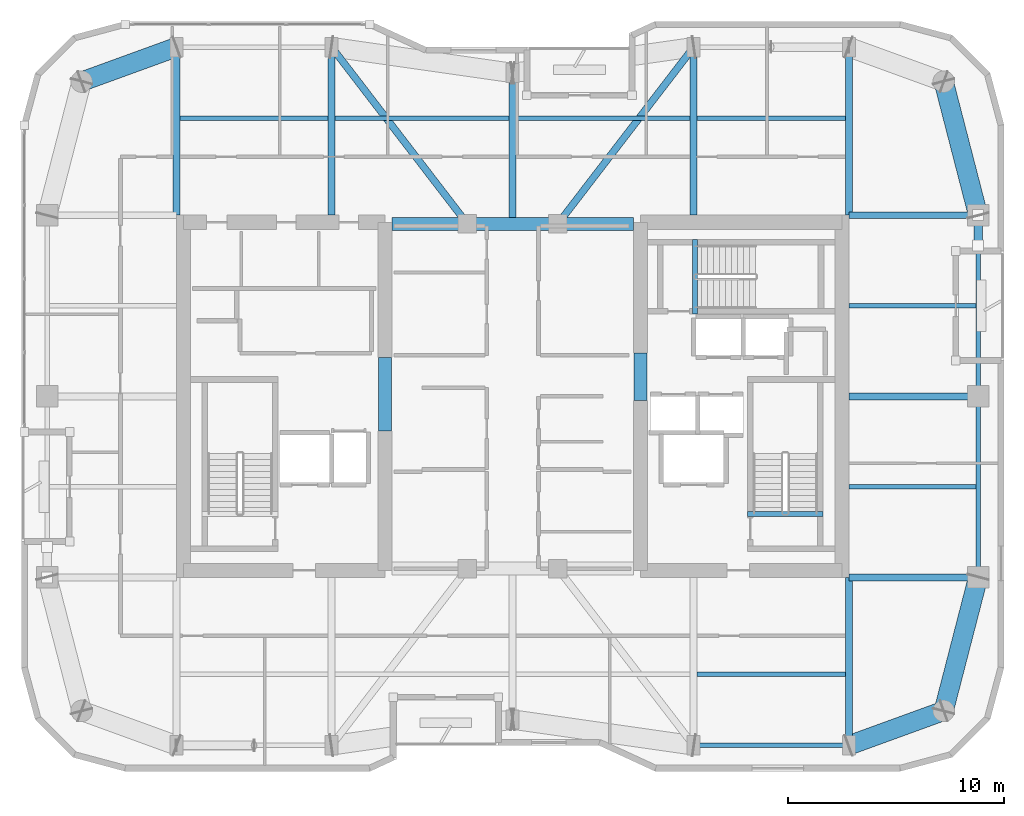
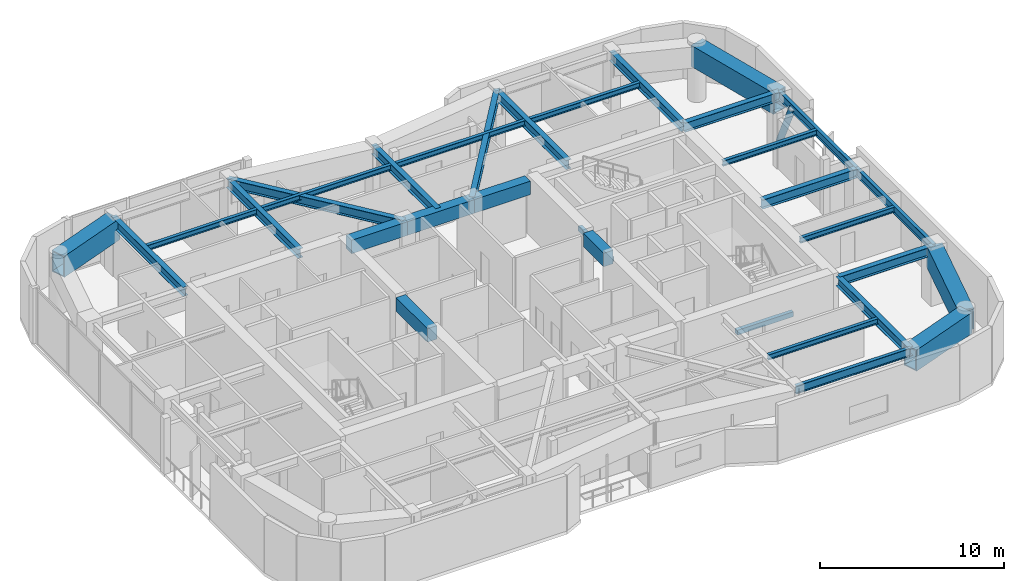
# One storey, part 5 of 15: 32 beams, 1 member.
"""IFC4 building model written with IfcOpenShell, lengths in metres."""

from ifc_helpers import new_model, si_unit, direction, frame, origin, origin_2d, place, context, subcontext, project, spatial, rectangle, hollow_rectangle, hollow_circle, i_section, extrude, material, material_profile, profile_set, type_object, element, save


model = new_model("IFC4")

# Units and contexts
model_context = context("Model", 3, precision=1e-05, world=origin(), true_north=direction((0.0, 1.0)))
body_context = subcontext(model_context, "Body", "Model", "MODEL_VIEW")
ifc_project = project(units=[si_unit("LENGTHUNIT", "METRE"), si_unit("AREAUNIT", "SQUARE_METRE"), si_unit("VOLUMEUNIT", "CUBIC_METRE"), si_unit("PLANEANGLEUNIT", "RADIAN"), si_unit("MASSUNIT", "GRAM", prefix="KILO")], contexts=[model_context])

# Site, building, storey
site_placement = place(None, origin())
site = spatial("IfcSite", under=ifc_project, at=site_placement, CompositionType="ELEMENT")
building_placement = place(site_placement, origin())
building = spatial("IfcBuilding", under=site, at=building_placement, Name="Kiyonajd Concourse Tower", CompositionType="ELEMENT")
storey_placement = place(building_placement, frame((0.0, 0.0, 258.89990234375)))
storey = spatial("IfcBuildingStorey", under=building, at=storey_placement, Name="L65", CompositionType="ELEMENT", Elevation=258.89990234375)

# Beams
ifc_material_1 = material(Name="Concrete C60/75", Category="concrete")
ifc_material_profile_1 = material_profile(ifc_material_1, rectangle(XDim=0.60009765625, YDim=0.89990234375, at=origin_2d()), Name="RCBM-600x900")
ifc_profile_set_1 = profile_set([ifc_material_profile_1], Name="Concrete C60/75")
beam_type_1 = type_object("IfcBeamType", Name="BM-COUP-900", PredefinedType="LINTEL", material=ifc_profile_set_1)
beam_1_placement = place(storey_placement, frame((42.39990234375, 44.0, 3.22998046875), z_axis=(1.0, 0.0, 0.0), x_axis=(0.0, 1.0, 0.0)))
element("IfcBeam", 1, at=beam_1_placement, inside=storey, type_object=beam_type_1, Name="L65 Core Coupling Beam N1", PredefinedType="LINTEL", context=body_context, shape_type="SweptSolid", body=[
    extrude(rectangle(XDim=0.60009765625, YDim=0.89990234375, at=origin_2d()), origin(), (0.0, 0.0, 1.0), 3.5),
])
beam_2_placement = place(storey_placement, frame((45.89990234375, 44.0, 3.22998046875), z_axis=(1.0, 0.0, 0.0), x_axis=(0.0, 1.0, 0.0)))
element("IfcBeam", 2, at=beam_2_placement, inside=storey, type_object=beam_type_1, Name="L65 Core Coupling Beam N2", PredefinedType="LINTEL", context=body_context, shape_type="SweptSolid", body=[
    extrude(rectangle(XDim=0.60009765625, YDim=0.89990234375, at=origin_2d()), origin(), (0.0, 0.0, 1.0), 4.2001953125),
])
beam_3_placement = place(storey_placement, frame((50.10009765625, 44.0, 3.22998046875), z_axis=(1.0, 0.0, 0.0), x_axis=(0.0, 1.0, 0.0)))
element("IfcBeam", 3, at=beam_3_placement, inside=storey, type_object=beam_type_1, Name="L65 Core Coupling Beam N3", PredefinedType="LINTEL", context=body_context, shape_type="SweptSolid", body=[
    extrude(rectangle(XDim=0.60009765625, YDim=0.89990234375, at=origin_2d()), origin(), (0.0, 0.0, 1.0), 3.5),
])
beam_4_placement = place(storey_placement, frame((42.074951171875, 34.39990234375, 3.22998046875), z_axis=(0.0, 1.0, 0.0), x_axis=(-1.0, 0.0, 0.0)))
element("IfcBeam", 4, at=beam_4_placement, inside=storey, type_object=beam_type_1, Name="L65 West Core Throat Coupling Lintel", PredefinedType="LINTEL", context=body_context, shape_type="SweptSolid", body=[
    extrude(rectangle(XDim=0.60009765625, YDim=0.89990234375, at=origin_2d()), origin(), (0.0, 0.0, 1.0), 3.400146484375),
])
beam_5_placement = place(storey_placement, frame((53.925048828125, 35.800048828125, 3.22998046875), z_axis=(0.0, 1.0, 0.0), x_axis=(-1.0, 0.0, 0.0)))
element("IfcBeam", 5, at=beam_5_placement, inside=storey, type_object=beam_type_1, Name="L65 East Core Throat Coupling Lintel", PredefinedType="LINTEL", context=body_context, shape_type="SweptSolid", body=[
    extrude(rectangle(XDim=0.60009765625, YDim=0.89990234375, at=origin_2d()), origin(), (0.0, 0.0, 1.0), 2.199951171875),
])
ifc_material_2 = material(Name="Steel ASTM A992 Grade 50", Category="steel")
ifc_material_profile_2 = material_profile(ifc_material_2, i_section(OverallWidth=0.205078125, OverallDepth=0.35400390625, WebThickness=0.009521484375, FlangeThickness=0.016845703125, at=origin_2d()), Name="W360X79")
ifc_profile_set_2 = profile_set([ifc_material_profile_2], Name="Steel ASTM A992 Grade 50")
beam_type_2 = type_object("IfcBeamType", Name="BM-JST-360", PredefinedType="JOIST", material=ifc_profile_set_2)
for number, where, z_axis, x_axis, name in (
    (6, (56.56201171875, 23.10009765625, 3.503173828125), (1.0, 0.0, 0.0), (0.0, 1.0, 0.0), "L65 Secondary Floor Joist"),
    (7, (32.56201171875, 48.89990234375, 3.503173828125), (1.0, 0.0, 0.0), (0.0, 1.0, 0.0), "L65 Secondary Floor Joist"),
):
    element("IfcBeam", number, at=place(storey_placement, frame(where, z_axis=z_axis, x_axis=x_axis)), inside=storey, type_object=beam_type_2, Name=name, PredefinedType="JOIST", context=body_context, shape_type="SweptSolid", body=[
        extrude(i_section(OverallWidth=0.205078125, OverallDepth=0.35400390625, WebThickness=0.009521484375, FlangeThickness=0.016845703125, at=origin_2d()), origin(), (0.0, 0.0, 1.0), 6.8759765625),
    ])
for number, where, z_axis, x_axis, name in (
    (8, (39.761962890625, 48.89990234375, 3.503173828125), (1.0, 0.0, 0.0), (0.0, 1.0, 0.0), "L65 Secondary Floor Joist"),
    (9, (48.162109375, 48.89990234375, 3.503173828125), (1.0, 0.0, 0.0), (0.0, 1.0, 0.0), "L65 Secondary Floor Joist"),
):
    element("IfcBeam", number, at=place(storey_placement, frame(where, z_axis=z_axis, x_axis=x_axis)), inside=storey, type_object=beam_type_2, Name=name, PredefinedType="JOIST", context=body_context, shape_type="SweptSolid", body=[
        extrude(i_section(OverallWidth=0.205078125, OverallDepth=0.35400390625, WebThickness=0.009521484375, FlangeThickness=0.016845703125, at=origin_2d()), origin(), (0.0, 0.0, 1.0), 8.075927734375),
    ])
beam_6_placement = place(storey_placement, frame((56.56201171875, 48.89990234375, 3.503173828125), z_axis=(1.0, 0.0, 0.0), x_axis=(0.0, 1.0, 0.0)))
element("IfcBeam", 10, at=beam_6_placement, inside=storey, type_object=beam_type_2, Name="L65 Secondary Floor Joist", PredefinedType="JOIST", context=body_context, shape_type="SweptSolid", body=[
    extrude(i_section(OverallWidth=0.205078125, OverallDepth=0.35400390625, WebThickness=0.009521484375, FlangeThickness=0.016845703125, at=origin_2d()), origin(), (0.0, 0.0, 1.0), 6.8759765625),
])
for number, where, z_axis, x_axis, name in (
    (11, (63.60009765625, 31.800048828125, 3.503173828125), (1.0, 0.0, 0.0), (0.0, 1.0, 0.0), "L65 East Secondary Floor Joist"),
    (12, (63.60009765625, 40.199951171875, 3.503173828125), (1.0, 0.0, 0.0), (0.0, 1.0, 0.0), "L65 East Secondary Floor Joist"),
):
    element("IfcBeam", number, at=place(storey_placement, frame(where, z_axis=z_axis, x_axis=x_axis)), inside=storey, type_object=beam_type_2, Name=name, PredefinedType="JOIST", context=body_context, shape_type="SweptSolid", body=[
        extrude(i_section(OverallWidth=0.205078125, OverallDepth=0.35400390625, WebThickness=0.009521484375, FlangeThickness=0.016845703125, at=origin_2d()), origin(), (0.0, 0.0, 1.0), 5.894287109375),
    ])
ifc_material_3 = material(Name="Concrete C50/60", Category="concrete")
ifc_material_profile_3 = material_profile(ifc_material_3, rectangle(XDim=0.239990234375, YDim=0.320068359375, at=origin_2d()), Name="RCBM-240x320")
ifc_profile_set_3 = profile_set([ifc_material_profile_3], Name="Concrete C50/60")
beam_type_3 = type_object("IfcBeamType", Name="BM-LNT-250", PredefinedType="LINTEL", material=ifc_profile_set_3)
beam_7_placement = place(storey_placement, frame((58.889892578125, 30.530029296875, -0.159912109375), z_axis=(1.0, 0.0, 0.0), x_axis=(0.0, 1.0, 0.0)))
element("IfcBeam", 13, at=beam_7_placement, inside=storey, type_object=beam_type_3, Name="L65 Stair ST2 Threshold Support Beam", PredefinedType="LINTEL", context=body_context, shape_type="SweptSolid", body=[
    extrude(rectangle(XDim=0.239990234375, YDim=0.320068359375, at=origin_2d()), origin(), (0.0, 0.0, 1.0), 3.52001953125),
])
beam_8_placement = place(storey_placement, frame((56.4599609375, 39.820068359375, -0.159912109375), z_axis=(0.0, 1.0, 0.0), x_axis=(-1.0, 0.0, 0.0)))
element("IfcBeam", 14, at=beam_8_placement, inside=storey, type_object=beam_type_3, Name="L65 Stair ST3 Threshold Support Beam", PredefinedType="LINTEL", context=body_context, shape_type="SweptSolid", body=[
    extrude(rectangle(XDim=0.239990234375, YDim=0.320068359375, at=origin_2d()), origin(), (0.0, 0.0, 1.0), 3.4599609375),
])
ifc_material_profile_4 = material_profile(ifc_material_2, i_section(OverallWidth=0.2109375, OverallDepth=0.5390625, WebThickness=0.01171875, FlangeThickness=0.018798828125, at=origin_2d()), Name="W530X109")
ifc_profile_set_4 = profile_set([ifc_material_profile_4], Name="Steel ASTM A992 Grade 50")
beam_type_4 = type_object("IfcBeamType", Name="BM-SPAN-530B", PredefinedType="SPANDREL", material=ifc_profile_set_4)
beam_9_placement = place(storey_placement, frame((56.39990234375, 19.800048828125, 3.41064453125), z_axis=(1.0, 0.0, 0.0), x_axis=(0.0, 1.0, 0.0)))
element("IfcBeam", 15, at=beam_9_placement, inside=storey, type_object=beam_type_4, Name="L65 Perimeter Bundled Tube Spandrel", PredefinedType="SPANDREL", context=body_context, shape_type="SweptSolid", body=[
    extrude(i_section(OverallWidth=0.2109375, OverallDepth=0.5390625, WebThickness=0.01171875, FlangeThickness=0.018798828125, at=origin_2d()), origin(), (0.0, 0.0, 1.0), 7.2001953125),
])
for number, where, z_axis, x_axis, name in (
    (16, (69.60009765625, 27.60009765625, 3.41064453125), (0.0, 1.0, 0.0), (-1.0, 0.0, 0.0), "L65 Perimeter Bundled Tube Spandrel"),
    (17, (69.60009765625, 36.0, 3.41064453125), (0.0, 1.0, 0.0), (-1.0, 0.0, 0.0), "L65 Perimeter Bundled Tube Spandrel"),
):
    element("IfcBeam", number, at=place(storey_placement, frame(where, z_axis=z_axis, x_axis=x_axis)), inside=storey, type_object=beam_type_4, Name=name, PredefinedType="SPANDREL", context=body_context, shape_type="SweptSolid", body=[
        extrude(i_section(OverallWidth=0.2109375, OverallDepth=0.5390625, WebThickness=0.01171875, FlangeThickness=0.018798828125, at=origin_2d()), origin(), (0.0, 0.0, 1.0), 8.39990234375),
    ])
ifc_material_profile_5 = material_profile(ifc_material_2, i_section(OverallWidth=0.326904296875, OverallDepth=0.6220703125, WebThickness=0.015380859375, FlangeThickness=0.0244140625, at=origin_2d()), Name="W610X195")
ifc_profile_set_5 = profile_set([ifc_material_profile_5], Name="Steel ASTM A992 Grade 50")
beam_type_5 = type_object("IfcBeamType", Name="BM-TWR-610A", PredefinedType="BEAM", material=ifc_profile_set_5)
for number, where, z_axis, x_axis, name in (
    (18, (39.60009765625, 52.199951171875, 3.369140625), (0.609233709922, -0.792990722956, 0.0), (0.792990722956, 0.609233709922, 0.0), "L65 Core Tie Girder"),
    (19, (50.10009765625, 44.0, 3.369140625), (0.609233709922, 0.792990722956, 0.0), (-0.792990722956, 0.609233709922, 0.0), "L65 Core Tie Girder"),
):
    element("IfcBeam", number, at=place(storey_placement, frame(where, z_axis=z_axis, x_axis=x_axis)), inside=storey, type_object=beam_type_5, Name=name, PredefinedType="BEAM", context=body_context, shape_type="SweptSolid", body=[
        extrude(i_section(OverallWidth=0.326904296875, OverallDepth=0.6220703125, WebThickness=0.015380859375, FlangeThickness=0.0244140625, at=origin_2d()), origin(), (0.0, 0.0, 1.0), 10.340576171875),
    ])
ifc_material_profile_6 = material_profile(ifc_material_2, i_section(OverallWidth=0.323974609375, OverallDepth=0.611083984375, WebThickness=0.0126953125, FlangeThickness=0.01904296875, at=origin_2d()), Name="W610X155")
ifc_profile_set_6 = profile_set([ifc_material_profile_6], Name="Steel ASTM A992 Grade 50")
beam_type_6 = type_object("IfcBeamType", Name="BM-TWR-610B", PredefinedType="BEAM", material=ifc_profile_set_6)
for number, where, z_axis, x_axis, name in (
    (20, (32.39990234375, 44.39990234375, 3.37451171875), (0.0, 1.0, 0.0), (-1.0, 0.0, 0.0), "L65 North Lease Girder"),
    (21, (39.60009765625, 44.39990234375, 3.37451171875), (0.0, 1.0, 0.0), (-1.0, 0.0, 0.0), "L65 North Lease Girder"),
    (22, (56.39990234375, 44.39990234375, 3.37451171875), (0.0, 1.0, 0.0), (-1.0, 0.0, 0.0), "L65 North Lease Girder"),
    (23, (63.60009765625, 19.800048828125, 3.37451171875), (0.0, 1.0, 0.0), (-1.0, 0.0, 0.0), "L65 South Lease Girder"),
    (24, (63.60009765625, 44.39990234375, 3.37451171875), (0.0, 1.0, 0.0), (-1.0, 0.0, 0.0), "L65 North Lease Girder"),
):
    element("IfcBeam", number, at=place(storey_placement, frame(where, z_axis=z_axis, x_axis=x_axis)), inside=storey, type_object=beam_type_6, Name=name, PredefinedType="BEAM", context=body_context, shape_type="SweptSolid", body=[
        extrude(i_section(OverallWidth=0.323974609375, OverallDepth=0.611083984375, WebThickness=0.0126953125, FlangeThickness=0.01904296875, at=origin_2d()), origin(), (0.0, 0.0, 1.0), 7.800048828125),
    ])
beam_10_placement = place(storey_placement, frame((48.0, 44.0, 3.37451171875), z_axis=(0.0, 1.0, 0.0), x_axis=(-1.0, 0.0, 0.0)))
element("IfcBeam", 25, at=beam_10_placement, inside=storey, type_object=beam_type_6, Name="L65 North Ribbon Girder", PredefinedType="BEAM", context=body_context, shape_type="SweptSolid", body=[
    extrude(i_section(OverallWidth=0.323974609375, OverallDepth=0.611083984375, WebThickness=0.0126953125, FlangeThickness=0.01904296875, at=origin_2d()), origin(), (0.0, 0.0, 1.0), 7.0),
])
for number, where, z_axis, x_axis, name in (
    (26, (63.60009765625, 27.60009765625, 3.37451171875), (1.0, 0.0, 0.0), (0.0, 1.0, 0.0), "L65 East Lease Girder"),
    (27, (63.60009765625, 36.0, 3.37451171875), (1.0, 0.0, 0.0), (0.0, 1.0, 0.0), "L65 East Lease Girder"),
    (28, (63.60009765625, 44.39990234375, 3.37451171875), (1.0, 0.0, 0.0), (0.0, 1.0, 0.0), "L65 East Lease Girder"),
):
    element("IfcBeam", number, at=place(storey_placement, frame(where, z_axis=z_axis, x_axis=x_axis)), inside=storey, type_object=beam_type_6, Name=name, PredefinedType="BEAM", context=body_context, shape_type="SweptSolid", body=[
        extrude(i_section(OverallWidth=0.323974609375, OverallDepth=0.611083984375, WebThickness=0.0126953125, FlangeThickness=0.01904296875, at=origin_2d()), origin(), (0.0, 0.0, 1.0), 6.0),
    ])
ifc_material_4 = material(Name="Steel ASTM A572 Grade 50", Category="steel")
ifc_material_profile_7 = material_profile(ifc_material_4, hollow_rectangle(XDim=0.89990234375, YDim=1.39990234375, WallThickness=0.070068359375, at=origin_2d()), Name="BOX-1400x900x70")
ifc_profile_set_7 = profile_set([ifc_material_profile_7], Name="Steel ASTM A572 Grade 50")
beam_type_7 = type_object("IfcBeamType", Name="BM-XFER-1400", PredefinedType="BEAM", material=ifc_profile_set_7)
beam_11_placement = place(storey_placement, frame((63.60009765625, 19.800048828125, 2.97998046875), z_axis=(0.939801036019, 0.341722127901, 0.0), x_axis=(-0.341722127901, 0.939801036019, 0.0)))
element("IfcBeam", 29, at=beam_11_placement, inside=storey, type_object=beam_type_7, Name="L65 Perimeter Bundled Tube Spandrel", PredefinedType="BEAM", context=body_context, shape_type="SweptSolid", body=[
    extrude(hollow_rectangle(XDim=0.89990234375, YDim=1.39990234375, WallThickness=0.070068359375, at=origin_2d()), origin(), (0.0, 0.0, 1.0), 4.681640625),
])
for number, where, z_axis, x_axis, name in (
    (30, (68.0, 21.39990234375, 2.97998046875), (0.249884937687, 0.968275538221, 0.0), (-0.968275538221, 0.249884937687, 0.0), "L65 Perimeter Bundled Tube Spandrel"),
    (31, (69.60009765625, 44.39990234375, 2.97998046875), (-0.249884937687, 0.968275538221, 0.0), (-0.968275538221, -0.249884937687, 0.0), "L65 Perimeter Bundled Tube Spandrel"),
):
    element("IfcBeam", number, at=place(storey_placement, frame(where, z_axis=z_axis, x_axis=x_axis)), inside=storey, type_object=beam_type_7, Name=name, PredefinedType="BEAM", context=body_context, shape_type="SweptSolid", body=[
        extrude(hollow_rectangle(XDim=0.89990234375, YDim=1.39990234375, WallThickness=0.070068359375, at=origin_2d()), origin(), (0.0, 0.0, 1.0), 6.4033203125),
    ])
beam_12_placement = place(storey_placement, frame((32.39990234375, 52.199951171875, 2.97998046875), z_axis=(-0.939801036019, -0.341722127901, 0.0), x_axis=(0.341722127901, -0.939801036019, 0.0)))
element("IfcBeam", 32, at=beam_12_placement, inside=storey, type_object=beam_type_7, Name="L65 Perimeter Bundled Tube Spandrel", PredefinedType="BEAM", context=body_context, shape_type="SweptSolid", body=[
    extrude(hollow_rectangle(XDim=0.89990234375, YDim=1.39990234375, WallThickness=0.070068359375, at=origin_2d()), origin(), (0.0, 0.0, 1.0), 4.681640625),
])

# Member
ifc_material_5 = material(Name="Steel ASTM A500 Grade C", Category="steel")
ifc_material_profile_8 = material_profile(ifc_material_5, hollow_circle(Radius=0.202880859375, WallThickness=0.01904296875, at=origin_2d()), Name="CHS-406x19")
ifc_profile_set_8 = profile_set([ifc_material_profile_8], Name="Steel ASTM A500 Grade C")
member_type = type_object("IfcMemberType", Name="MB-PB-HIGH", PredefinedType="BRACE", material=ifc_profile_set_8)
member_placement = place(storey_placement, frame((69.60009765625, 44.39990234375, 0.300048828125), z_axis=(0.0, -0.419410666774, 0.907796614114), x_axis=(1.0, 0.0, 0.0)))
element("IfcMember", 33, at=member_placement, inside=storey, type_object=member_type, Name="L65 Upper Zone Hollow Tube Brace PBE", PredefinedType="BRACE", context=body_context, shape_type="SweptSolid", body=[
    extrude(hollow_circle(Radius=0.202880859375, WallThickness=0.01904296875, at=origin_2d()), origin(), (0.0, 0.0, 1.0), 3.337890625),
])

save(model, "model.ifc")
